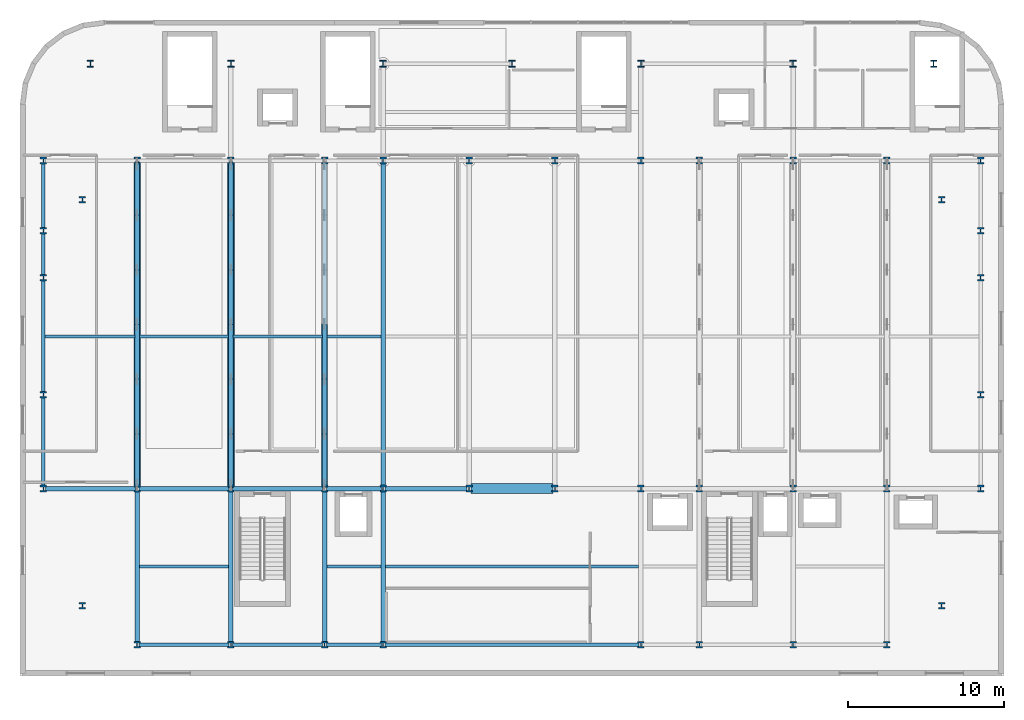
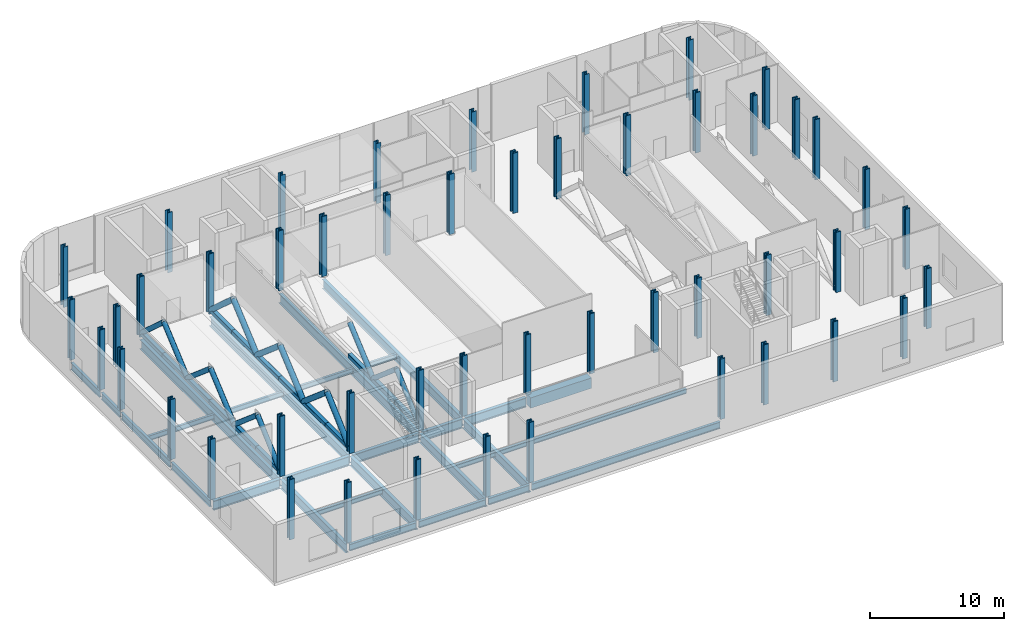
# One storey, part 1 of 17: 49 columns, 30 members, 29 beams.
"""IFC4 building model written with IfcOpenShell, lengths in metres."""

import ifcopenshell
import ifcopenshell.guid

model = None  # the IFC model being written
_history = None  # IfcOwnerHistory: only IFC2X3 demands one
_inside = {}  # id of a spatial element -> (the spatial element, [elements in it])
_under = {}  # id of a project, library or spatial element -> (it, [spatial elements below it])
_declared = {}  # id of a project -> (the project, [libraries it declares])
_typed = {}  # id of a type object -> (the type object, [elements of that type])
_made_of = {}  # id of a material, layer set ... -> (it, [elements and type objects made of it])


def new_model(schema):
    """Start an empty IFC model of exactly this schema.

    Asked for "IFC4X3", IfcOpenShell would pick the latest addendum, in which some entities
    have other attributes; the version numbers below select the first issue.
    IFC2X3 requires an IfcOwnerHistory on every rooted entity: one is made here for all.
    """
    global model, _history
    if schema == "IFC4X3":
        model = ifcopenshell.file(schema_version=(4, 3, 0, 0))
    else:
        model = ifcopenshell.file(schema=schema)
    _inside.clear()
    _under.clear()
    _declared.clear()
    _typed.clear()
    _made_of.clear()
    _history = None
    if model.schema == "IFC2X3":
        org = make("IfcOrganization", Name="unknown")
        user = make(
            "IfcPersonAndOrganization",
            ThePerson=make("IfcPerson", FamilyName="unknown"),
            TheOrganization=org,
        )
        app = make(
            "IfcApplication",
            ApplicationDeveloper=org,
            Version="unknown",
            ApplicationFullName="unknown",
            ApplicationIdentifier="unknown",
        )
        _history = make(
            "IfcOwnerHistory",
            OwningUser=user,
            OwningApplication=app,
            ChangeAction="ADDED",
            CreationDate=0,
        )
    return model


def make(cls, **values):
    """One entity of the class cls with the attributes given. An attribute that is None is left unset."""
    return model.create_entity(
        cls, **{name: value for name, value in values.items() if value is not None}
    )


def rooted(cls, **values):
    """An entity with a GlobalId (a new one), such as an element, a storey or a relation."""
    return make(cls, GlobalId=ifcopenshell.guid.new(), OwnerHistory=_history, **values)


def si_unit(unit_type, name, prefix=None):
    """IfcSIUnit, for example si_unit("LENGTHUNIT", "METRE", prefix="MILLI")."""
    return make("IfcSIUnit", UnitType=unit_type, Prefix=prefix, Name=name)


def assignment(units):
    """IfcUnitAssignment: the units of a project."""
    return None if units is None else make("IfcUnitAssignment", Units=units)


def point(xyz):
    """IfcCartesianPoint."""
    return None if xyz is None else make("IfcCartesianPoint", Coordinates=xyz)


def direction(xyz):
    """IfcDirection."""
    return None if xyz is None else make("IfcDirection", DirectionRatios=xyz)


def frame(location, z_axis=None, x_axis=None):
    """IfcAxis2Placement3D, a coordinate frame: its origin and axes. An axis left out is left unset."""
    return make(
        "IfcAxis2Placement3D",
        Location=point(location),
        Axis=direction(z_axis),
        RefDirection=direction(x_axis),
    )


def frame_2d(location, x_axis=None):
    """IfcAxis2Placement2D, a coordinate frame in the plane: its origin and x axis."""
    return make(
        "IfcAxis2Placement2D", Location=point(location), RefDirection=direction(x_axis)
    )


def origin():
    """The frame at (0, 0, 0) with its axes left unset."""
    return frame((0.0, 0.0, 0.0))


def origin_2d():
    """The frame at (0, 0) in the plane with its x axis left unset."""
    return frame_2d((0.0, 0.0))


def place(relative_to, where):
    """IfcLocalPlacement: puts the frame where relative to a parent placement (None: the world)."""
    return make(
        "IfcLocalPlacement", PlacementRelTo=relative_to, RelativePlacement=where
    )


def context(
    kind, dimensions, precision=None, world=None, true_north=None, identifier=None
):
    """IfcGeometricRepresentationContext, for example the 3D "Model" context."""
    return make(
        "IfcGeometricRepresentationContext",
        ContextIdentifier=identifier,
        ContextType=kind,
        CoordinateSpaceDimension=dimensions,
        Precision=precision,
        WorldCoordinateSystem=world,
        TrueNorth=true_north,
    )


def subcontext(parent, identifier, kind, view, scale=None):
    """IfcGeometricRepresentationSubContext, for example "Body" below "Model"."""
    return make(
        "IfcGeometricRepresentationSubContext",
        ContextIdentifier=identifier,
        ContextType=kind,
        ParentContext=parent,
        TargetScale=scale,
        TargetView=view,
    )


def project(units=None, contexts=None):
    """IfcProject with its units and contexts."""
    return rooted(
        "IfcProject",
        Name="project",
        RepresentationContexts=contexts,
        UnitsInContext=assignment(units),
    )


def spatial(cls, under=None, at=None, **own):
    """A site, building, storey or space (cls), placed at a placement, below another one or the project."""
    s = rooted(cls, ObjectPlacement=at, **own)
    if under is not None:
        _under.setdefault(under.id(), (under, []))[1].append(s)
    return s


def profile(cls, at=None, kind="AREA", **sizes):
    """A parametric profile (cls). Its sizes go by their IFC names, for example OverallWidth=200.0."""
    return make(cls, ProfileType=kind, Position=at, **sizes)


def rectangle(**sizes):
    """IfcRectangleProfileDef."""
    return profile("IfcRectangleProfileDef", **sizes)


def hollow_rectangle(**sizes):
    """IfcRectangleHollowProfileDef."""
    return profile("IfcRectangleHollowProfileDef", **sizes)


def hollow_circle(**sizes):
    """IfcCircleHollowProfileDef."""
    return profile("IfcCircleHollowProfileDef", **sizes)


def i_section(**sizes):
    """IfcIShapeProfileDef."""
    return profile("IfcIShapeProfileDef", **sizes)


def extrude(swept, where, along, depth):
    """IfcExtrudedAreaSolid: the profile swept, set in the frame where, extruded along a direction by depth."""
    return make(
        "IfcExtrudedAreaSolid",
        SweptArea=swept,
        Position=where,
        ExtrudedDirection=direction(along),
        Depth=depth,
    )


def shape(context_of_items, identifier, shape_type, items):
    """IfcShapeRepresentation: the items that make up one representation, for example the "Body"."""
    return make(
        "IfcShapeRepresentation",
        ContextOfItems=context_of_items,
        RepresentationIdentifier=identifier,
        RepresentationType=shape_type,
        Items=items,
    )


def material(Name=None, Category=None):
    """IfcMaterial."""
    return make("IfcMaterial", Name=Name, Category=Category)


def material_profile(
    of_material, cross_section, Name=None, Category=None, Priority=None
):
    """IfcMaterialProfile: a cross section and its material."""
    return make(
        "IfcMaterialProfile",
        Name=Name,
        Material=of_material,
        Profile=cross_section,
        Priority=Priority,
        Category=Category,
    )


def profile_set(profiles, Name=None, composite=None):
    """IfcMaterialProfileSet."""
    return make(
        "IfcMaterialProfileSet",
        Name=Name,
        MaterialProfiles=profiles,
        CompositeProfile=composite,
    )


def made_of(thing, what):
    """Note that an element or type object is made of a material, layer set ...; save() writes the relation."""
    if what is not None:
        _made_of.setdefault(what.id(), (what, []))[1].append(thing)
    return thing


def type_object(cls, material=None, **own):
    """A type object (cls), such as IfcWallType, which elements share."""
    return made_of(rooted(cls, **own), material)


def element(
    cls,
    number,
    at=None,
    inside=None,
    cuts=None,
    type_object=None,
    material=None,
    context=None,
    identifier="Body",
    shape_type=None,
    held_by="IfcProductDefinitionShape",
    body=None,
    shapes=None,
    **own,
):
    """One element of the class cls, such as IfcWall. Its Tag is "e" and its number.

    at: its placement. inside: the storey or other place that contains it. cuts: it is an
    opening in that element (IfcRelVoidsElement). A single representation is given by context,
    identifier, shape_type and body (its items); several are given by shapes. held_by: the class
    of the entity that holds the representations. save() writes the other relations.
    """
    e = rooted(cls, Tag="e%d" % number, ObjectPlacement=at, **own)
    if body is not None:
        shapes = [shape(context, identifier, shape_type, body)]
    if shapes is not None:
        e.Representation = make(held_by, Representations=shapes)
    if inside is not None:
        _inside.setdefault(inside.id(), (inside, []))[1].append(e)
    if cuts is not None:
        rooted(
            "IfcRelVoidsElement", RelatingBuildingElement=cuts, RelatedOpeningElement=e
        )
    if type_object is not None:
        _typed.setdefault(type_object.id(), (type_object, []))[1].append(e)
    return made_of(e, material)


def aggregate(whole, parts):
    """IfcRelAggregates: a whole, such as a stair, and the parts it consists of."""
    return rooted("IfcRelAggregates", RelatingObject=whole, RelatedObjects=parts)


def save(model, path):
    """Write the relations noted so far, then the file.

    IfcRelAggregates (storeys below a building ...), IfcRelContainedInSpatialStructure (elements
    in a storey), IfcRelDefinesByType, IfcRelAssociatesMaterial and IfcRelDeclares: one each for
    every whole, place, type object, material and project.
    """
    for whole, parts in _under.values():
        aggregate(whole, parts)
    for where, things in _inside.values():
        rooted(
            "IfcRelContainedInSpatialStructure",
            RelatedElements=things,
            RelatingStructure=where,
        )
    for kind, things in _typed.values():
        rooted("IfcRelDefinesByType", RelatedObjects=things, RelatingType=kind)
    for what, things in _made_of.values():
        rooted("IfcRelAssociatesMaterial", RelatedObjects=things, RelatingMaterial=what)
    for by, libraries in _declared.values():
        rooted("IfcRelDeclares", RelatingContext=by, RelatedDefinitions=libraries)
    model.write(path)


model = new_model("IFC4")

# Units and contexts
model_context = context("Model", 3, precision=1e-05, world=origin(), true_north=direction((0.0, 1.0)))
body_context = subcontext(model_context, "Body", "Model", "MODEL_VIEW")
ifc_project = project(units=[si_unit("LENGTHUNIT", "METRE"), si_unit("AREAUNIT", "SQUARE_METRE"), si_unit("VOLUMEUNIT", "CUBIC_METRE"), si_unit("PLANEANGLEUNIT", "RADIAN"), si_unit("MASSUNIT", "GRAM", prefix="KILO")], contexts=[model_context])

# Site, building, storey
site_placement = place(None, origin())
site = spatial("IfcSite", under=ifc_project, at=site_placement, CompositionType="ELEMENT")
building_placement = place(site_placement, origin())
building = spatial("IfcBuilding", under=site, at=building_placement, Name="Brevholm Reach", CompositionType="ELEMENT")
storey_placement = place(building_placement, frame((0.0, 0.0, 22.5)))
storey = spatial("IfcBuildingStorey", under=building, at=storey_placement, Name="L05", CompositionType="ELEMENT", Elevation=22.5)

# Columns
ifc_material_1 = material(Name="Structural Steel S460ML", Category="steel")
ifc_material_profile_1 = material_profile(ifc_material_1, i_section(OverallWidth=0.4169921875, OverallDepth=0.430908203125, WebThickness=0.06494140625, FlangeThickness=0.10595703125, FilletRadius=0.014892578125, at=origin_2d()), Name="HD 400x900")
ifc_profile_set_1 = profile_set([ifc_material_profile_1], Name="Structural Steel S460ML")
column_type_1 = type_object("IfcColumnType", Name="COL-HD1B", PredefinedType="COLUMN", material=ifc_profile_set_1)
for number, where, z_axis, x_axis, name in (
    (1, (0.0, 10.0, 0.0), (0.0, 0.0, 1.0), (1.0, 0.0, 0.0), "L05 Column 01"),
    (2, (0.0, 16.0, 0.0), (0.0, 0.0, 1.0), (1.0, 0.0, 0.0), "L05 Column 02"),
    (3, (0.0, 23.5, 0.0), (0.0, 0.0, 1.0), (1.0, 0.0, 0.0), "L05 Column 03"),
    (4, (0.0, 26.5, 0.0), (0.0, 0.0, 1.0), (1.0, 0.0, 0.0), "L05 Column 04"),
    (5, (0.0, 31.0, 0.0), (0.0, 0.0, 1.0), (1.0, 0.0, 0.0), "L05 Column 05"),
    (6, (2.5, 2.5, 0.0), (0.0, 0.0, 1.0), (1.0, 0.0, 0.0), "L05 Column 06"),
    (7, (2.5, 28.5, 0.0), (0.0, 0.0, 1.0), (1.0, 0.0, 0.0), "L05 Column 07"),
    (8, (6.0, 0.0, 0.0), (0.0, 0.0, 1.0), (1.0, 0.0, 0.0), "L05 Column 09"),
    (9, (6.0, 10.0, 0.0), (0.0, 0.0, 1.0), (1.0, 0.0, 0.0), "L05 Column 10"),
    (10, (6.0, 31.0, 0.0), (0.0, 0.0, 1.0), (1.0, 0.0, 0.0), "L05 Column 11"),
    (11, (12.0, 0.0, 0.0), (0.0, 0.0, 1.0), (1.0, 0.0, 0.0), "L05 Column 12"),
    (12, (12.0, 10.0, 0.0), (0.0, 0.0, 1.0), (1.0, 0.0, 0.0), "L05 Column 13"),
    (13, (12.0, 31.0, 0.0), (0.0, 0.0, 1.0), (1.0, 0.0, 0.0), "L05 Column 14"),
    (14, (18.0, 0.0, 0.0), (0.0, 0.0, 1.0), (1.0, 0.0, 0.0), "L05 Column 16"),
    (15, (18.0, 10.0, 0.0), (0.0, 0.0, 1.0), (1.0, 0.0, 0.0), "L05 Column 17"),
    (16, (18.0, 31.0, 0.0), (0.0, 0.0, 1.0), (1.0, 0.0, 0.0), "L05 Column 18"),
    (17, (21.75, 0.0, 0.0), (0.0, 0.0, 1.0), (1.0, 0.0, 0.0), "L05 Column 19"),
    (18, (21.75, 10.0, 0.0), (0.0, 0.0, 1.0), (1.0, 0.0, 0.0), "L05 Column 20"),
    (19, (21.75, 31.0, 0.0), (0.0, 0.0, 1.0), (1.0, 0.0, 0.0), "L05 Column 21"),
    (20, (27.25, 10.0, 0.0), (0.0, 0.0, 1.0), (1.0, 0.0, 0.0), "L05 Column 23"),
    (21, (27.25, 31.0, 0.0), (0.0, 0.0, 1.0), (1.0, 0.0, 0.0), "L05 Column 24"),
    (22, (32.75, 10.0, 0.0), (0.0, 0.0, 1.0), (1.0, 0.0, 0.0), "L05 Column 26"),
    (23, (32.75, 31.0, 0.0), (0.0, 0.0, 1.0), (1.0, 0.0, 0.0), "L05 Column 27"),
    (24, (38.25, 0.0, 0.0), (0.0, 0.0, 1.0), (1.0, 0.0, 0.0), "L05 Column 28"),
    (25, (38.25, 10.0, 0.0), (0.0, 0.0, 1.0), (1.0, 0.0, 0.0), "L05 Column 29"),
    (26, (38.25, 31.0, 0.0), (0.0, 0.0, 1.0), (1.0, 0.0, 0.0), "L05 Column 30"),
    (27, (42.0, 0.0, 0.0), (0.0, 0.0, 1.0), (1.0, 0.0, 0.0), "L05 Column 32"),
    (28, (42.0, 10.0, 0.0), (0.0, 0.0, 1.0), (1.0, 0.0, 0.0), "L05 Column 33"),
    (29, (42.0, 31.0, 0.0), (0.0, 0.0, 1.0), (1.0, 0.0, 0.0), "L05 Column 34"),
    (30, (48.0, 0.0, 0.0), (0.0, 0.0, 1.0), (1.0, 0.0, 0.0), "L05 Column 35"),
    (31, (48.0, 10.0, 0.0), (0.0, 0.0, 1.0), (1.0, 0.0, 0.0), "L05 Column 36"),
    (32, (48.0, 31.0, 0.0), (0.0, 0.0, 1.0), (1.0, 0.0, 0.0), "L05 Column 37"),
    (33, (54.0, 0.0, 0.0), (0.0, 0.0, 1.0), (1.0, 0.0, 0.0), "L05 Column 39"),
    (34, (54.0, 10.0, 0.0), (0.0, 0.0, 1.0), (1.0, 0.0, 0.0), "L05 Column 40"),
    (35, (54.0, 31.0, 0.0), (0.0, 0.0, 1.0), (1.0, 0.0, 0.0), "L05 Column 41"),
    (36, (57.5, 2.5, 0.0), (0.0, 0.0, 1.0), (1.0, 0.0, 0.0), "L05 Column 43"),
    (37, (57.5, 28.5, 0.0), (0.0, 0.0, 1.0), (1.0, 0.0, 0.0), "L05 Column 44"),
    (38, (60.0, 10.0, 0.0), (0.0, 0.0, 1.0), (1.0, 0.0, 0.0), "L05 Column 45"),
    (39, (60.0, 16.0, 0.0), (0.0, 0.0, 1.0), (1.0, 0.0, 0.0), "L05 Column 46"),
    (40, (60.0, 23.5, 0.0), (0.0, 0.0, 1.0), (1.0, 0.0, 0.0), "L05 Column 47"),
    (41, (60.0, 26.5, 0.0), (0.0, 0.0, 1.0), (1.0, 0.0, 0.0), "L05 Column 48"),
    (42, (60.0, 31.0, 0.0), (0.0, 0.0, 1.0), (1.0, 0.0, 0.0), "L05 Column 49"),
):
    element("IfcColumn", number, at=place(storey_placement, frame(where, z_axis=z_axis, x_axis=x_axis)), inside=storey, type_object=column_type_1, Name=name, PredefinedType="COLUMN", context=body_context, shape_type="SweptSolid", body=[
        extrude(i_section(OverallWidth=0.4169921875, OverallDepth=0.430908203125, WebThickness=0.06494140625, FlangeThickness=0.10595703125, FilletRadius=0.014892578125, at=origin_2d()), origin(), (0.0, 0.0, 1.0), 5.5),
    ])
ifc_material_2 = material(Name="Structural Steel S355J2", Category="steel")
ifc_material_profile_2 = material_profile(ifc_material_2, i_section(OverallWidth=0.406982421875, OverallDepth=0.4189453125, WebThickness=0.030517578125, FlangeThickness=0.04931640625, FilletRadius=0.01513671875, at=origin_2d()), Name="UKC 356x406x393")
ifc_profile_set_2 = profile_set([ifc_material_profile_2], Name="Structural Steel S355J2")
column_type_2 = type_object("IfcColumnType", Name="COL-UC4", PredefinedType="COLUMN", material=ifc_profile_set_2)
for number, where, z_axis, x_axis, name in (
    (43, (3.0, 37.199951171875, 0.0), (0.0, 0.0, 1.0), (1.0, 0.0, 0.0), "L05 Column 08"),
    (44, (12.0, 37.199951171875, 0.0), (0.0, 0.0, 1.0), (1.0, 0.0, 0.0), "L05 Column 15"),
    (45, (21.75, 37.199951171875, 0.0), (0.0, 0.0, 1.0), (1.0, 0.0, 0.0), "L05 Column 22"),
    (46, (30.0, 37.199951171875, 0.0), (0.0, 0.0, 1.0), (1.0, 0.0, 0.0), "L05 Column 25"),
    (47, (38.25, 37.199951171875, 0.0), (0.0, 0.0, 1.0), (1.0, 0.0, 0.0), "L05 Column 31"),
    (48, (48.0, 37.199951171875, 0.0), (0.0, 0.0, 1.0), (1.0, 0.0, 0.0), "L05 Column 38"),
    (49, (57.0, 37.199951171875, 0.0), (0.0, 0.0, 1.0), (1.0, 0.0, 0.0), "L05 Column 42"),
):
    element("IfcColumn", number, at=place(storey_placement, frame(where, z_axis=z_axis, x_axis=x_axis)), inside=storey, type_object=column_type_2, Name=name, PredefinedType="COLUMN", context=body_context, shape_type="SweptSolid", body=[
        extrude(i_section(OverallWidth=0.406982421875, OverallDepth=0.4189453125, WebThickness=0.030517578125, FlangeThickness=0.04931640625, FilletRadius=0.01513671875, at=origin_2d()), origin(), (0.0, 0.0, 1.0), 5.5),
    ])

# Beams
ifc_material_3 = material(Name="Structural Steel S355J2", Category="steel")
ifc_material_profile_3 = material_profile(ifc_material_3, i_section(OverallWidth=0.1904296875, OverallDepth=0.45703125, WebThickness=0.009033203125, FlangeThickness=0.014404296875, FilletRadius=0.01025390625, at=origin_2d()), Name="UKB 457x191x74")
ifc_profile_set_3 = profile_set([ifc_material_profile_3], Name="Structural Steel S355J2")
beam_type_1 = type_object("IfcBeamType", Name="BM-B457", PredefinedType="BEAM", material=ifc_profile_set_3)
beam_1_placement = place(storey_placement, frame((6.14697265625, 5.0, -0.508544921875), z_axis=(1.0, 0.0, 0.0), x_axis=(0.0, 1.0, 0.0)))
element("IfcBeam", 50, at=beam_1_placement, inside=storey, type_object=beam_type_1, Name="L05 Composite Secondary Floor Beam", PredefinedType="BEAM", context=body_context, shape_type="SweptSolid", body=[
    extrude(i_section(OverallWidth=0.1904296875, OverallDepth=0.45703125, WebThickness=0.009033203125, FlangeThickness=0.014404296875, FilletRadius=0.01025390625, at=origin_2d()), origin(), (0.0, 0.0, 1.0), 5.7060546875),
])
beam_2_placement = place(storey_placement, frame((18.14697265625, 5.0, -0.508544921875), z_axis=(1.0, 0.0, 0.0), x_axis=(0.0, 1.0, 0.0)))
element("IfcBeam", 51, at=beam_2_placement, inside=storey, type_object=beam_type_1, Name="L05 Composite Secondary Floor Beam", PredefinedType="BEAM", context=body_context, shape_type="SweptSolid", body=[
    extrude(i_section(OverallWidth=0.1904296875, OverallDepth=0.45703125, WebThickness=0.009033203125, FlangeThickness=0.014404296875, FilletRadius=0.01025390625, at=origin_2d()), origin(), (0.0, 0.0, 1.0), 3.4560546875),
])
beam_3_placement = place(storey_placement, frame((21.89697265625, 5.0, -0.508544921875), z_axis=(1.0, 0.0, 0.0), x_axis=(0.0, 1.0, 0.0)))
element("IfcBeam", 52, at=beam_3_placement, inside=storey, type_object=beam_type_1, Name="L05 Composite Secondary Floor Beam", PredefinedType="BEAM", context=body_context, shape_type="SweptSolid", body=[
    extrude(i_section(OverallWidth=0.1904296875, OverallDepth=0.45703125, WebThickness=0.009033203125, FlangeThickness=0.014404296875, FilletRadius=0.01025390625, at=origin_2d()), origin(), (0.0, 0.0, 1.0), 16.2060546875),
])
beam_4_placement = place(storey_placement, frame((0.114501953125, 19.75, -0.508544921875), z_axis=(1.0, 0.0, 0.0), x_axis=(0.0, 1.0, 0.0)))
element("IfcBeam", 53, at=beam_4_placement, inside=storey, type_object=beam_type_1, Name="L05 Composite Secondary Floor Beam", PredefinedType="BEAM", context=body_context, shape_type="SweptSolid", body=[
    extrude(i_section(OverallWidth=0.1904296875, OverallDepth=0.45703125, WebThickness=0.009033203125, FlangeThickness=0.014404296875, FilletRadius=0.01025390625, at=origin_2d()), origin(), (0.0, 0.0, 1.0), 5.738525390625),
])
for number, where, z_axis, x_axis, name in (
    (54, (6.14697265625, 19.75, -0.508544921875), (1.0, 0.0, 0.0), (0.0, 1.0, 0.0), "L05 Composite Secondary Floor Beam"),
    (55, (12.14697265625, 19.75, -0.508544921875), (1.0, 0.0, 0.0), (0.0, 1.0, 0.0), "L05 Composite Secondary Floor Beam"),
):
    element("IfcBeam", number, at=place(storey_placement, frame(where, z_axis=z_axis, x_axis=x_axis)), inside=storey, type_object=beam_type_1, Name=name, PredefinedType="BEAM", context=body_context, shape_type="SweptSolid", body=[
        extrude(i_section(OverallWidth=0.1904296875, OverallDepth=0.45703125, WebThickness=0.009033203125, FlangeThickness=0.014404296875, FilletRadius=0.01025390625, at=origin_2d()), origin(), (0.0, 0.0, 1.0), 5.7060546875),
    ])
beam_5_placement = place(storey_placement, frame((18.14697265625, 19.75, -0.508544921875), z_axis=(1.0, 0.0, 0.0), x_axis=(0.0, 1.0, 0.0)))
element("IfcBeam", 56, at=beam_5_placement, inside=storey, type_object=beam_type_1, Name="L05 Composite Secondary Floor Beam", PredefinedType="BEAM", context=body_context, shape_type="SweptSolid", body=[
    extrude(i_section(OverallWidth=0.1904296875, OverallDepth=0.45703125, WebThickness=0.009033203125, FlangeThickness=0.014404296875, FilletRadius=0.01025390625, at=origin_2d()), origin(), (0.0, 0.0, 1.0), 3.4560546875),
])
ifc_material_4 = material(Name="Concrete C60/75", Category="concrete")
ifc_material_profile_4 = material_profile(ifc_material_4, rectangle(XDim=0.64990234375, YDim=0.949951171875, at=origin_2d()), Name="RC 650x950")
ifc_profile_set_4 = profile_set([ifc_material_profile_4], Name="Concrete C60/75")
beam_type_2 = type_object("IfcBeamType", Name="BM-CB650", PredefinedType="LINTEL", material=ifc_profile_set_4)
beam_6_placement = place(storey_placement, frame((27.3701171875, 10.0, -0.7548828125), z_axis=(1.0, 0.0, 0.0), x_axis=(0.0, 1.0, 0.0)))
element("IfcBeam", 57, at=beam_6_placement, inside=storey, type_object=beam_type_2, Name="L05 CB-01 Framing Beam", PredefinedType="LINTEL", context=body_context, shape_type="SweptSolid", body=[
    extrude(rectangle(XDim=0.64990234375, YDim=0.949951171875, at=origin_2d()), origin(), (0.0, 0.0, 1.0), 5.259765625),
])
ifc_material_5 = material(Name="Structural Steel S355J2", Category="steel")
ifc_material_profile_5 = material_profile(ifc_material_5, i_section(OverallWidth=0.22900390625, OverallDepth=0.6123046875, WebThickness=0.011962890625, FlangeThickness=0.01953125, FilletRadius=0.0126953125, at=origin_2d()), Name="UKB 610x229x125")
ifc_profile_set_5 = profile_set([ifc_material_profile_5], Name="Structural Steel S355J2")
beam_type_3 = type_object("IfcBeamType", Name="BM-SP610", PredefinedType="SPANDREL", material=ifc_profile_set_5)
for number, where, z_axis, x_axis, name in (
    (58, (6.1201171875, 0.0, -0.586181640625), (1.0, 0.0, 0.0), (0.0, 1.0, 0.0), "L05 SP-01 Framing Beam"),
    (59, (12.1201171875, 0.0, -0.586181640625), (1.0, 0.0, 0.0), (0.0, 1.0, 0.0), "L05 SP-01 Framing Beam"),
):
    element("IfcBeam", number, at=place(storey_placement, frame(where, z_axis=z_axis, x_axis=x_axis)), inside=storey, type_object=beam_type_3, Name=name, PredefinedType="SPANDREL", context=body_context, shape_type="SweptSolid", body=[
        extrude(i_section(OverallWidth=0.22900390625, OverallDepth=0.6123046875, WebThickness=0.011962890625, FlangeThickness=0.01953125, FilletRadius=0.0126953125, at=origin_2d()), origin(), (0.0, 0.0, 1.0), 5.759765625),
    ])
beam_7_placement = place(storey_placement, frame((18.1201171875, 0.0, -0.586181640625), z_axis=(1.0, 0.0, 0.0), x_axis=(0.0, 1.0, 0.0)))
element("IfcBeam", 60, at=beam_7_placement, inside=storey, type_object=beam_type_3, Name="L05 SP-01 Framing Beam", PredefinedType="SPANDREL", context=body_context, shape_type="SweptSolid", body=[
    extrude(i_section(OverallWidth=0.22900390625, OverallDepth=0.6123046875, WebThickness=0.011962890625, FlangeThickness=0.01953125, FilletRadius=0.0126953125, at=origin_2d()), origin(), (0.0, 0.0, 1.0), 3.509765625),
])
beam_8_placement = place(storey_placement, frame((21.8701171875, 0.0, -0.586181640625), z_axis=(1.0, 0.0, 0.0), x_axis=(0.0, 1.0, 0.0)))
element("IfcBeam", 61, at=beam_8_placement, inside=storey, type_object=beam_type_3, Name="L05 SP-01 Framing Beam", PredefinedType="SPANDREL", context=body_context, shape_type="SweptSolid", body=[
    extrude(i_section(OverallWidth=0.22900390625, OverallDepth=0.6123046875, WebThickness=0.011962890625, FlangeThickness=0.01953125, FilletRadius=0.0126953125, at=origin_2d()), origin(), (0.0, 0.0, 1.0), 16.259765625),
])
beam_9_placement = place(storey_placement, frame((0.0, 10.1201171875, -0.586181640625), z_axis=(0.0, 1.0, 0.0), x_axis=(-1.0, 0.0, 0.0)))
element("IfcBeam", 62, at=beam_9_placement, inside=storey, type_object=beam_type_3, Name="L05 SP-01 Framing Beam", PredefinedType="SPANDREL", context=body_context, shape_type="SweptSolid", body=[
    extrude(i_section(OverallWidth=0.22900390625, OverallDepth=0.6123046875, WebThickness=0.011962890625, FlangeThickness=0.01953125, FilletRadius=0.0126953125, at=origin_2d()), origin(), (0.0, 0.0, 1.0), 5.759765625),
])
beam_10_placement = place(storey_placement, frame((0.0, 16.1201171875, -0.586181640625), z_axis=(0.0, 1.0, 0.0), x_axis=(-1.0, 0.0, 0.0)))
element("IfcBeam", 63, at=beam_10_placement, inside=storey, type_object=beam_type_3, Name="L05 SP-01 Framing Beam", PredefinedType="SPANDREL", context=body_context, shape_type="SweptSolid", body=[
    extrude(i_section(OverallWidth=0.22900390625, OverallDepth=0.6123046875, WebThickness=0.011962890625, FlangeThickness=0.01953125, FilletRadius=0.0126953125, at=origin_2d()), origin(), (0.0, 0.0, 1.0), 7.259765625),
])
beam_11_placement = place(storey_placement, frame((0.0, 23.6201171875, -0.586181640625), z_axis=(0.0, 1.0, 0.0), x_axis=(-1.0, 0.0, 0.0)))
element("IfcBeam", 64, at=beam_11_placement, inside=storey, type_object=beam_type_3, Name="L05 SP-01 Framing Beam", PredefinedType="SPANDREL", context=body_context, shape_type="SweptSolid", body=[
    extrude(i_section(OverallWidth=0.22900390625, OverallDepth=0.6123046875, WebThickness=0.011962890625, FlangeThickness=0.01953125, FilletRadius=0.0126953125, at=origin_2d()), origin(), (0.0, 0.0, 1.0), 2.759765625),
])
beam_12_placement = place(storey_placement, frame((0.0, 26.6201171875, -0.586181640625), z_axis=(0.0, 1.0, 0.0), x_axis=(-1.0, 0.0, 0.0)))
element("IfcBeam", 65, at=beam_12_placement, inside=storey, type_object=beam_type_3, Name="L05 SP-01 Framing Beam", PredefinedType="SPANDREL", context=body_context, shape_type="SweptSolid", body=[
    extrude(i_section(OverallWidth=0.22900390625, OverallDepth=0.6123046875, WebThickness=0.011962890625, FlangeThickness=0.01953125, FilletRadius=0.0126953125, at=origin_2d()), origin(), (0.0, 0.0, 1.0), 4.259765625),
])
ifc_material_6 = material(Name="Structural Steel S355J2", Category="steel")
ifc_material_profile_6 = material_profile(ifc_material_6, i_section(OverallWidth=0.293701171875, OverallDepth=0.850830078125, WebThickness=0.01611328125, FlangeThickness=0.02685546875, FilletRadius=0.017822265625, at=origin_2d()), Name="UKB 838x292x226")
ifc_profile_set_6 = profile_set([ifc_material_profile_6], Name="Structural Steel S355J2")
beam_type_4 = type_object("IfcBeamType", Name="BM-UKB838", PredefinedType="USERDEFINED", material=ifc_profile_set_6)
for number, where, z_axis, x_axis, name in (
    (66, (0.1201171875, 10.0, -0.70556640625), (1.0, 0.0, 0.0), (0.0, 1.0, 0.0), "L05 G-03 Framing Beam"),
    (67, (6.1201171875, 10.0, -0.70556640625), (1.0, 0.0, 0.0), (0.0, 1.0, 0.0), "L05 G-03 Framing Beam"),
    (68, (12.1201171875, 10.0, -0.70556640625), (1.0, 0.0, 0.0), (0.0, 1.0, 0.0), "L05 G-03 Framing Beam"),
):
    element("IfcBeam", number, at=place(storey_placement, frame(where, z_axis=z_axis, x_axis=x_axis)), inside=storey, type_object=beam_type_4, Name=name, ObjectType="GIRDER", PredefinedType="USERDEFINED", context=body_context, shape_type="SweptSolid", body=[
        extrude(i_section(OverallWidth=0.293701171875, OverallDepth=0.850830078125, WebThickness=0.01611328125, FlangeThickness=0.02685546875, FilletRadius=0.017822265625, at=origin_2d()), origin(), (0.0, 0.0, 1.0), 5.759765625),
    ])
beam_13_placement = place(storey_placement, frame((18.1201171875, 10.0, -0.70556640625), z_axis=(1.0, 0.0, 0.0), x_axis=(0.0, 1.0, 0.0)))
element("IfcBeam", 69, at=beam_13_placement, inside=storey, type_object=beam_type_4, Name="L05 G-03 Framing Beam", ObjectType="GIRDER", PredefinedType="USERDEFINED", context=body_context, shape_type="SweptSolid", body=[
    extrude(i_section(OverallWidth=0.293701171875, OverallDepth=0.850830078125, WebThickness=0.01611328125, FlangeThickness=0.02685546875, FilletRadius=0.017822265625, at=origin_2d()), origin(), (0.0, 0.0, 1.0), 3.509765625),
])
beam_14_placement = place(storey_placement, frame((21.8701171875, 10.0, -0.70556640625), z_axis=(1.0, 0.0, 0.0), x_axis=(0.0, 1.0, 0.0)))
element("IfcBeam", 70, at=beam_14_placement, inside=storey, type_object=beam_type_4, Name="L05 G-03 Framing Beam", ObjectType="GIRDER", PredefinedType="USERDEFINED", context=body_context, shape_type="SweptSolid", body=[
    extrude(i_section(OverallWidth=0.293701171875, OverallDepth=0.850830078125, WebThickness=0.01611328125, FlangeThickness=0.02685546875, FilletRadius=0.017822265625, at=origin_2d()), origin(), (0.0, 0.0, 1.0), 5.259765625),
])
beam_15_placement = place(storey_placement, frame((6.0, 0.1201171875, -0.70556640625), z_axis=(0.0, 1.0, 0.0), x_axis=(-1.0, 0.0, 0.0)))
element("IfcBeam", 71, at=beam_15_placement, inside=storey, type_object=beam_type_4, Name="L05 G-03 Framing Beam", ObjectType="GIRDER", PredefinedType="USERDEFINED", context=body_context, shape_type="SweptSolid", body=[
    extrude(i_section(OverallWidth=0.293701171875, OverallDepth=0.850830078125, WebThickness=0.01611328125, FlangeThickness=0.02685546875, FilletRadius=0.017822265625, at=origin_2d()), origin(), (0.0, 0.0, 1.0), 9.759765625),
])
beam_16_placement = place(storey_placement, frame((6.0, 10.1201171875, -0.70556640625), z_axis=(0.0, 1.0, 0.0), x_axis=(-1.0, 0.0, 0.0)))
element("IfcBeam", 72, at=beam_16_placement, inside=storey, type_object=beam_type_4, Name="L05 G-03 Framing Beam", ObjectType="GIRDER", PredefinedType="USERDEFINED", context=body_context, shape_type="SweptSolid", body=[
    extrude(i_section(OverallWidth=0.293701171875, OverallDepth=0.850830078125, WebThickness=0.01611328125, FlangeThickness=0.02685546875, FilletRadius=0.017822265625, at=origin_2d()), origin(), (0.0, 0.0, 1.0), 20.759765625),
])
beam_17_placement = place(storey_placement, frame((12.0, 0.1201171875, -0.70556640625), z_axis=(0.0, 1.0, 0.0), x_axis=(-1.0, 0.0, 0.0)))
element("IfcBeam", 73, at=beam_17_placement, inside=storey, type_object=beam_type_4, Name="L05 G-03 Framing Beam", ObjectType="GIRDER", PredefinedType="USERDEFINED", context=body_context, shape_type="SweptSolid", body=[
    extrude(i_section(OverallWidth=0.293701171875, OverallDepth=0.850830078125, WebThickness=0.01611328125, FlangeThickness=0.02685546875, FilletRadius=0.017822265625, at=origin_2d()), origin(), (0.0, 0.0, 1.0), 9.759765625),
])
beam_18_placement = place(storey_placement, frame((12.0, 10.1201171875, -0.70556640625), z_axis=(0.0, 1.0, 0.0), x_axis=(-1.0, 0.0, 0.0)))
element("IfcBeam", 74, at=beam_18_placement, inside=storey, type_object=beam_type_4, Name="L05 G-03 Framing Beam", ObjectType="GIRDER", PredefinedType="USERDEFINED", context=body_context, shape_type="SweptSolid", body=[
    extrude(i_section(OverallWidth=0.293701171875, OverallDepth=0.850830078125, WebThickness=0.01611328125, FlangeThickness=0.02685546875, FilletRadius=0.017822265625, at=origin_2d()), origin(), (0.0, 0.0, 1.0), 20.759765625),
])
beam_19_placement = place(storey_placement, frame((18.0, 0.1201171875, -0.70556640625), z_axis=(0.0, 1.0, 0.0), x_axis=(-1.0, 0.0, 0.0)))
element("IfcBeam", 75, at=beam_19_placement, inside=storey, type_object=beam_type_4, Name="L05 G-03 Framing Beam", ObjectType="GIRDER", PredefinedType="USERDEFINED", context=body_context, shape_type="SweptSolid", body=[
    extrude(i_section(OverallWidth=0.293701171875, OverallDepth=0.850830078125, WebThickness=0.01611328125, FlangeThickness=0.02685546875, FilletRadius=0.017822265625, at=origin_2d()), origin(), (0.0, 0.0, 1.0), 9.759765625),
])
beam_20_placement = place(storey_placement, frame((18.0, 10.1201171875, -0.70556640625), z_axis=(0.0, 1.0, 0.0), x_axis=(-1.0, 0.0, 0.0)))
element("IfcBeam", 76, at=beam_20_placement, inside=storey, type_object=beam_type_4, Name="L05 G-03 Framing Beam", ObjectType="GIRDER", PredefinedType="USERDEFINED", context=body_context, shape_type="SweptSolid", body=[
    extrude(i_section(OverallWidth=0.293701171875, OverallDepth=0.850830078125, WebThickness=0.01611328125, FlangeThickness=0.02685546875, FilletRadius=0.017822265625, at=origin_2d()), origin(), (0.0, 0.0, 1.0), 20.759765625),
])
beam_21_placement = place(storey_placement, frame((21.75, 0.1201171875, -0.70556640625), z_axis=(0.0, 1.0, 0.0), x_axis=(-1.0, 0.0, 0.0)))
element("IfcBeam", 77, at=beam_21_placement, inside=storey, type_object=beam_type_4, Name="L05 G-03 Framing Beam", ObjectType="GIRDER", PredefinedType="USERDEFINED", context=body_context, shape_type="SweptSolid", body=[
    extrude(i_section(OverallWidth=0.293701171875, OverallDepth=0.850830078125, WebThickness=0.01611328125, FlangeThickness=0.02685546875, FilletRadius=0.017822265625, at=origin_2d()), origin(), (0.0, 0.0, 1.0), 9.759765625),
])
beam_22_placement = place(storey_placement, frame((21.75, 10.1201171875, -0.70556640625), z_axis=(0.0, 1.0, 0.0), x_axis=(-1.0, 0.0, 0.0)))
element("IfcBeam", 78, at=beam_22_placement, inside=storey, type_object=beam_type_4, Name="L05 G-03 Framing Beam", ObjectType="GIRDER", PredefinedType="USERDEFINED", context=body_context, shape_type="SweptSolid", body=[
    extrude(i_section(OverallWidth=0.293701171875, OverallDepth=0.850830078125, WebThickness=0.01611328125, FlangeThickness=0.02685546875, FilletRadius=0.017822265625, at=origin_2d()), origin(), (0.0, 0.0, 1.0), 20.759765625),
])

# Members
ifc_material_7 = material(Name="Structural Steel S460NH", Category="steel")
ifc_material_profile_7 = material_profile(ifc_material_7, hollow_circle(Radius=0.203125, WallThickness=0.01611328125, at=origin_2d()), Name="CHS 406.4x16")
ifc_profile_set_7 = profile_set([ifc_material_profile_7], Name="Structural Steel S460NH")
member_type_1 = type_object("IfcMemberType", Name="MEM-TB-CHS406", PredefinedType="BRACE", material=ifc_profile_set_7)
member_1_placement = place(storey_placement, frame((6.0, 10.179931640625, 0.35009765625), z_axis=(0.0, 0.74307946371, 0.669203190827), x_axis=(-1.0, 0.0, 0.0)))
element("IfcMember", 79, at=member_1_placement, inside=storey, type_object=member_type_1, Name="L05 Transfer Truss Diagonal X6.1", PredefinedType="BRACE", context=body_context, shape_type="SweptSolid", body=[
    extrude(hollow_circle(Radius=0.203125, WallThickness=0.01611328125, at=origin_2d()), origin(), (0.0, 0.0, 1.0), 4.468017578125),
])
for number, where, z_axis, x_axis, name in (
    (80, (6.0, 13.5, 3.340087890625), (0.0, 0.760330022916, -0.649536955263), (-1.0, 0.0, 0.0), "L05 Transfer Truss Diagonal X6.2"),
    (81, (6.0, 17.0, 0.35009765625), (0.0, 0.760330022916, 0.649536955263), (-1.0, 0.0, 0.0), "L05 Transfer Truss Diagonal X6.3"),
    (82, (6.0, 20.5, 3.340087890625), (0.0, 0.760330022916, -0.649536955263), (-1.0, 0.0, 0.0), "L05 Transfer Truss Diagonal X6.4"),
    (83, (6.0, 24.0, 0.35009765625), (0.0, 0.760330022916, 0.649536955263), (-1.0, 0.0, 0.0), "L05 Transfer Truss Diagonal X6.5"),
):
    element("IfcMember", number, at=place(storey_placement, frame(where, z_axis=z_axis, x_axis=x_axis)), inside=storey, type_object=member_type_1, Name=name, PredefinedType="BRACE", context=body_context, shape_type="SweptSolid", body=[
        extrude(hollow_circle(Radius=0.203125, WallThickness=0.01611328125, at=origin_2d()), origin(), (0.0, 0.0, 1.0), 4.603271484375),
    ])
for number, where, z_axis, x_axis, name in (
    (84, (6.0, 27.5, 3.340087890625), (0.0, 0.74307946371, -0.669203190827), (-1.0, 0.0, 0.0), "L05 Transfer Truss Diagonal X6.6"),
    (85, (18.0, 10.179931640625, 0.35009765625), (0.0, 0.74307946371, 0.669203190827), (-1.0, 0.0, 0.0), "L05 Transfer Truss Diagonal X18.1"),
):
    element("IfcMember", number, at=place(storey_placement, frame(where, z_axis=z_axis, x_axis=x_axis)), inside=storey, type_object=member_type_1, Name=name, PredefinedType="BRACE", context=body_context, shape_type="SweptSolid", body=[
        extrude(hollow_circle(Radius=0.203125, WallThickness=0.01611328125, at=origin_2d()), origin(), (0.0, 0.0, 1.0), 4.468017578125),
    ])
for number, where, z_axis, x_axis, name in (
    (86, (18.0, 13.5, 3.340087890625), (0.0, 0.760330022916, -0.649536955263), (-1.0, 0.0, 0.0), "L05 Transfer Truss Diagonal X18.2"),
    (87, (18.0, 17.0, 0.35009765625), (0.0, 0.760330022916, 0.649536955263), (-1.0, 0.0, 0.0), "L05 Transfer Truss Diagonal X18.3"),
):
    element("IfcMember", number, at=place(storey_placement, frame(where, z_axis=z_axis, x_axis=x_axis)), inside=storey, type_object=member_type_1, Name=name, PredefinedType="BRACE", context=body_context, shape_type="SweptSolid", body=[
        extrude(hollow_circle(Radius=0.203125, WallThickness=0.01611328125, at=origin_2d()), origin(), (0.0, 0.0, 1.0), 4.603271484375),
    ])
ifc_material_8 = material(Name="Structural Steel S460NH", Category="steel")
ifc_material_profile_8 = material_profile(ifc_material_8, hollow_circle(Radius=0.228515625, WallThickness=0.02001953125, at=origin_2d()), Name="CHS 457x20")
ifc_profile_set_8 = profile_set([ifc_material_profile_8], Name="Structural Steel S460NH")
member_type_2 = type_object("IfcMemberType", Name="MEM-TB-CHS457", PredefinedType="BRACE", material=ifc_profile_set_8)
member_2_placement = place(storey_placement, frame((12.0, 10.179931640625, 0.35009765625), z_axis=(0.0, 0.74307946371, 0.669203190827), x_axis=(-1.0, 0.0, 0.0)))
element("IfcMember", 88, at=member_2_placement, inside=storey, type_object=member_type_2, Name="L05 Transfer Truss Diagonal X12.1", PredefinedType="BRACE", context=body_context, shape_type="SweptSolid", body=[
    extrude(hollow_circle(Radius=0.228515625, WallThickness=0.02001953125, at=origin_2d()), origin(), (0.0, 0.0, 1.0), 4.468017578125),
])
for number, where, z_axis, x_axis, name in (
    (89, (12.0, 13.5, 3.340087890625), (0.0, 0.760330022916, -0.649536955263), (-1.0, 0.0, 0.0), "L05 Transfer Truss Diagonal X12.2"),
    (90, (12.0, 17.0, 0.35009765625), (0.0, 0.760330022916, 0.649536955263), (-1.0, 0.0, 0.0), "L05 Transfer Truss Diagonal X12.3"),
    (91, (12.0, 20.5, 3.340087890625), (0.0, 0.760330022916, -0.649536955263), (-1.0, 0.0, 0.0), "L05 Transfer Truss Diagonal X12.4"),
    (92, (12.0, 24.0, 0.35009765625), (0.0, 0.760330022916, 0.649536955263), (-1.0, 0.0, 0.0), "L05 Transfer Truss Diagonal X12.5"),
):
    element("IfcMember", number, at=place(storey_placement, frame(where, z_axis=z_axis, x_axis=x_axis)), inside=storey, type_object=member_type_2, Name=name, PredefinedType="BRACE", context=body_context, shape_type="SweptSolid", body=[
        extrude(hollow_circle(Radius=0.228515625, WallThickness=0.02001953125, at=origin_2d()), origin(), (0.0, 0.0, 1.0), 4.603271484375),
    ])
member_3_placement = place(storey_placement, frame((12.0, 27.5, 3.340087890625), z_axis=(0.0, 0.74307946371, -0.669203190827), x_axis=(-1.0, 0.0, 0.0)))
element("IfcMember", 93, at=member_3_placement, inside=storey, type_object=member_type_2, Name="L05 Transfer Truss Diagonal X12.6", PredefinedType="BRACE", context=body_context, shape_type="SweptSolid", body=[
    extrude(hollow_circle(Radius=0.228515625, WallThickness=0.02001953125, at=origin_2d()), origin(), (0.0, 0.0, 1.0), 4.468017578125),
])
ifc_material_9 = material(Name="Structural Steel S460NH", Category="steel")
ifc_material_profile_9 = material_profile(ifc_material_9, hollow_rectangle(XDim=0.35009765625, YDim=0.35009765625, WallThickness=0.01611328125, InnerFilletRadius=0.011962890625, OuterFilletRadius=0.02392578125, at=origin_2d()), Name="SHS 350x350x16")
ifc_profile_set_9 = profile_set([ifc_material_profile_9], Name="Structural Steel S460NH")
member_type_3 = type_object("IfcMemberType", Name="MEM-TC-SHS350", PredefinedType="CHORD", material=ifc_profile_set_9)
member_4_placement = place(storey_placement, frame((6.0, 10.179931640625, 0.35009765625), z_axis=(0.0, 1.0, 0.0), x_axis=(-1.0, 0.0, 0.0)))
element("IfcMember", 94, at=member_4_placement, inside=storey, type_object=member_type_3, Name="L05 Transfer Truss Bottom Chord X6.1", PredefinedType="CHORD", context=body_context, shape_type="SweptSolid", body=[
    extrude(hollow_rectangle(XDim=0.35009765625, YDim=0.35009765625, WallThickness=0.01611328125, InnerFilletRadius=0.011962890625, OuterFilletRadius=0.02392578125, at=origin_2d()), origin(), (0.0, 0.0, 1.0), 3.320068359375),
])
for number, where, z_axis, x_axis, name in (
    (95, (6.0, 13.5, 0.35009765625), (0.0, 1.0, 0.0), (-1.0, 0.0, 0.0), "L05 Transfer Truss Bottom Chord X6.2"),
    (96, (6.0, 17.0, 0.35009765625), (0.0, 1.0, 0.0), (-1.0, 0.0, 0.0), "L05 Transfer Truss Bottom Chord X6.3"),
    (97, (6.0, 20.5, 0.35009765625), (0.0, 1.0, 0.0), (-1.0, 0.0, 0.0), "L05 Transfer Truss Bottom Chord X6.4"),
    (98, (6.0, 24.0, 0.35009765625), (0.0, 1.0, 0.0), (-1.0, 0.0, 0.0), "L05 Transfer Truss Bottom Chord X6.5"),
):
    element("IfcMember", number, at=place(storey_placement, frame(where, z_axis=z_axis, x_axis=x_axis)), inside=storey, type_object=member_type_3, Name=name, PredefinedType="CHORD", context=body_context, shape_type="SweptSolid", body=[
        extrude(hollow_rectangle(XDim=0.35009765625, YDim=0.35009765625, WallThickness=0.01611328125, InnerFilletRadius=0.011962890625, OuterFilletRadius=0.02392578125, at=origin_2d()), origin(), (0.0, 0.0, 1.0), 3.5),
    ])
for number, where, z_axis, x_axis, name in (
    (99, (6.0, 27.5, 0.35009765625), (0.0, 1.0, 0.0), (-1.0, 0.0, 0.0), "L05 Transfer Truss Bottom Chord X6.6"),
    (100, (12.0, 10.179931640625, 0.35009765625), (0.0, 1.0, 0.0), (-1.0, 0.0, 0.0), "L05 Transfer Truss Bottom Chord X12.1"),
):
    element("IfcMember", number, at=place(storey_placement, frame(where, z_axis=z_axis, x_axis=x_axis)), inside=storey, type_object=member_type_3, Name=name, PredefinedType="CHORD", context=body_context, shape_type="SweptSolid", body=[
        extrude(hollow_rectangle(XDim=0.35009765625, YDim=0.35009765625, WallThickness=0.01611328125, InnerFilletRadius=0.011962890625, OuterFilletRadius=0.02392578125, at=origin_2d()), origin(), (0.0, 0.0, 1.0), 3.320068359375),
    ])
for number, where, z_axis, x_axis, name in (
    (101, (12.0, 13.5, 0.35009765625), (0.0, 1.0, 0.0), (-1.0, 0.0, 0.0), "L05 Transfer Truss Bottom Chord X12.2"),
    (102, (12.0, 17.0, 0.35009765625), (0.0, 1.0, 0.0), (-1.0, 0.0, 0.0), "L05 Transfer Truss Bottom Chord X12.3"),
    (103, (12.0, 20.5, 0.35009765625), (0.0, 1.0, 0.0), (-1.0, 0.0, 0.0), "L05 Transfer Truss Bottom Chord X12.4"),
    (104, (12.0, 24.0, 0.35009765625), (0.0, 1.0, 0.0), (-1.0, 0.0, 0.0), "L05 Transfer Truss Bottom Chord X12.5"),
):
    element("IfcMember", number, at=place(storey_placement, frame(where, z_axis=z_axis, x_axis=x_axis)), inside=storey, type_object=member_type_3, Name=name, PredefinedType="CHORD", context=body_context, shape_type="SweptSolid", body=[
        extrude(hollow_rectangle(XDim=0.35009765625, YDim=0.35009765625, WallThickness=0.01611328125, InnerFilletRadius=0.011962890625, OuterFilletRadius=0.02392578125, at=origin_2d()), origin(), (0.0, 0.0, 1.0), 3.5),
    ])
for number, where, z_axis, x_axis, name in (
    (105, (12.0, 27.5, 0.35009765625), (0.0, 1.0, 0.0), (-1.0, 0.0, 0.0), "L05 Transfer Truss Bottom Chord X12.6"),
    (106, (18.0, 10.179931640625, 0.35009765625), (0.0, 1.0, 0.0), (-1.0, 0.0, 0.0), "L05 Transfer Truss Bottom Chord X18.1"),
):
    element("IfcMember", number, at=place(storey_placement, frame(where, z_axis=z_axis, x_axis=x_axis)), inside=storey, type_object=member_type_3, Name=name, PredefinedType="CHORD", context=body_context, shape_type="SweptSolid", body=[
        extrude(hollow_rectangle(XDim=0.35009765625, YDim=0.35009765625, WallThickness=0.01611328125, InnerFilletRadius=0.011962890625, OuterFilletRadius=0.02392578125, at=origin_2d()), origin(), (0.0, 0.0, 1.0), 3.320068359375),
    ])
for number, where, z_axis, x_axis, name in (
    (107, (18.0, 13.5, 0.35009765625), (0.0, 1.0, 0.0), (-1.0, 0.0, 0.0), "L05 Transfer Truss Bottom Chord X18.2"),
    (108, (18.0, 17.0, 0.35009765625), (0.0, 1.0, 0.0), (-1.0, 0.0, 0.0), "L05 Transfer Truss Bottom Chord X18.3"),
):
    element("IfcMember", number, at=place(storey_placement, frame(where, z_axis=z_axis, x_axis=x_axis)), inside=storey, type_object=member_type_3, Name=name, PredefinedType="CHORD", context=body_context, shape_type="SweptSolid", body=[
        extrude(hollow_rectangle(XDim=0.35009765625, YDim=0.35009765625, WallThickness=0.01611328125, InnerFilletRadius=0.011962890625, OuterFilletRadius=0.02392578125, at=origin_2d()), origin(), (0.0, 0.0, 1.0), 3.5),
    ])

save(model, "model.ifc")
